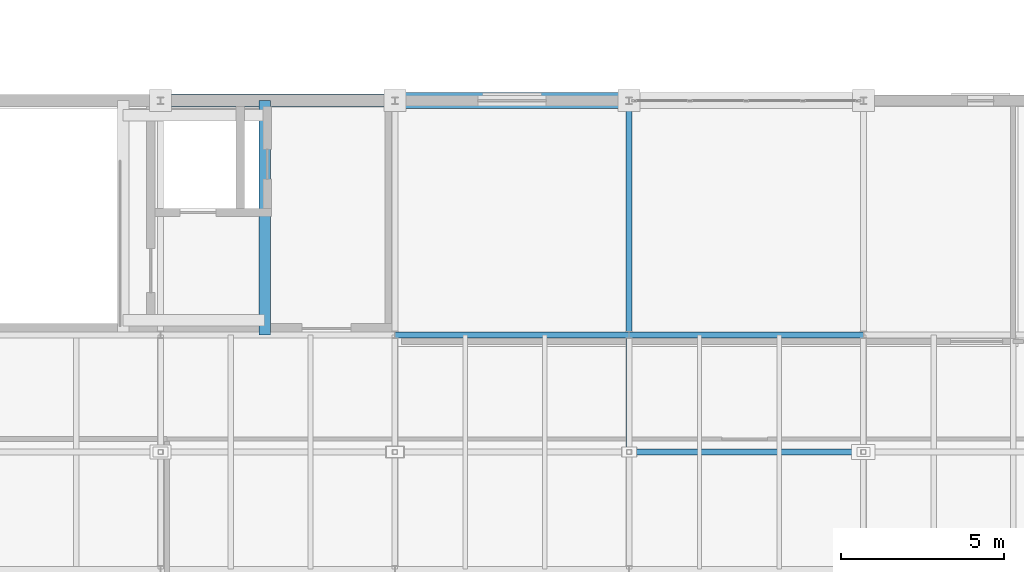
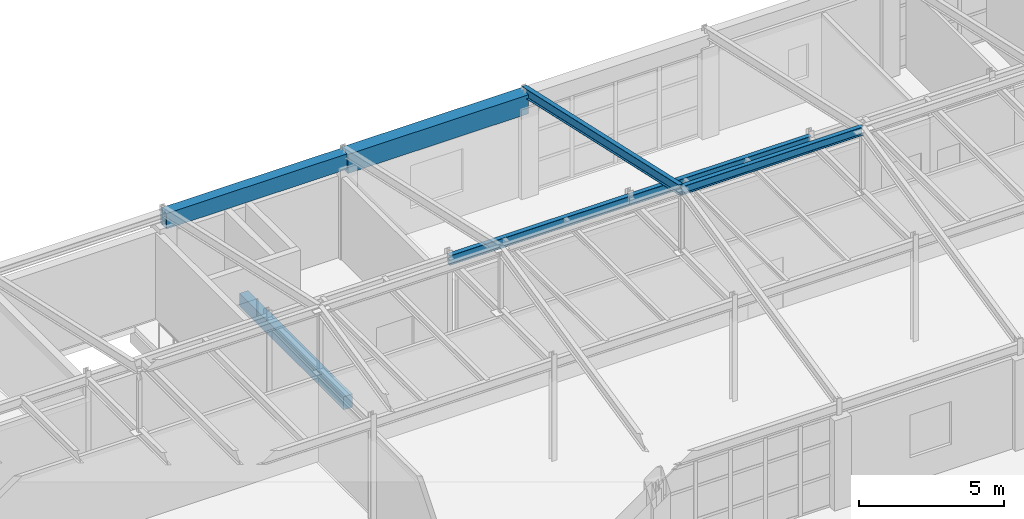
# One storey, part 65 of 101: 7 beams.
"""IFC4 building model written with IfcOpenShell, lengths in metres."""

from ifc_helpers import new_model, si_unit, direction, frame, origin, origin_2d, place, context, subcontext, project, spatial, rectangle, i_section, extrude, material, material_profile, profile_set, type_object, element, save


model = new_model("IFC4")

# Units and contexts
model_context = context("Model", 3, precision=1e-05, world=origin(), true_north=direction((0.0, 1.0)))
body_context = subcontext(model_context, "Body", "Model", "MODEL_VIEW")
ifc_project = project(units=[si_unit("LENGTHUNIT", "METRE"), si_unit("AREAUNIT", "SQUARE_METRE"), si_unit("VOLUMEUNIT", "CUBIC_METRE"), si_unit("PLANEANGLEUNIT", "RADIAN"), si_unit("MASSUNIT", "GRAM", prefix="KILO")], contexts=[model_context])

# Site, building, storey
site_placement = place(None, origin())
site = spatial("IfcSite", under=ifc_project, at=site_placement, CompositionType="ELEMENT")
building_placement = place(site_placement, origin())
building = spatial("IfcBuilding", under=site, at=building_placement, Name="Kemerveld Promenade Tramway Depot", CompositionType="ELEMENT")
storey_placement = place(building_placement, frame((0.0, 0.0, 9.89990234375)))
storey = spatial("IfcBuildingStorey", under=building, at=storey_placement, Name="L02", CompositionType="ELEMENT", Elevation=9.89990234375)

# Beams
ifc_material_1 = material(Name="Steel S355", Category="steel")
ifc_material_profile_1 = material_profile(ifc_material_1, i_section(OverallWidth=0.1787109375, OverallDepth=0.409423828125, WebThickness=0.0087890625, FlangeThickness=0.014404296875, FilletRadius=0.01025390625, at=origin_2d()), Name="406x178x67 UB")
ifc_profile_set_1 = profile_set([ifc_material_profile_1], Name="Steel S355")
beam_type_1 = type_object("IfcBeamType", Name="BM-G07", PredefinedType="BEAM", material=ifc_profile_set_1)
for number, where, z_axis, x_axis, name in (
    (1, (100.800048828125, 21.60009765625, 4.0703125), (1.0, 0.0, 0.0), (0.0, 1.0, 0.0), "BMX-L02-15-16-D"),
    (2, (108.0, 21.60009765625, 4.0703125), (1.0, 0.0, 0.0), (0.0, 1.0, 0.0), "BMX-L02-16-17-D"),
):
    element("IfcBeam", number, at=place(storey_placement, frame(where, z_axis=z_axis, x_axis=x_axis)), inside=storey, type_object=beam_type_1, Name=name, PredefinedType="BEAM", context=body_context, shape_type="SweptSolid", body=[
        extrude(i_section(OverallWidth=0.1787109375, OverallDepth=0.409423828125, WebThickness=0.0087890625, FlangeThickness=0.014404296875, FilletRadius=0.01025390625, at=origin_2d()), origin(), (0.0, 0.0, 1.0), 7.199951171875),
    ])
beam_1_placement = place(storey_placement, frame((108.0, 18.0, 6.67529296875), z_axis=(0.0, 0.976189137057, -0.216921111677), x_axis=(-1.0, 0.0, 0.0)))
element("IfcBeam", 3, at=beam_1_placement, inside=storey, type_object=beam_type_1, Name="RAF-V4-16-N", PredefinedType="BEAM", context=body_context, shape_type="SweptSolid", body=[
    extrude(i_section(OverallWidth=0.1787109375, OverallDepth=0.409423828125, WebThickness=0.0087890625, FlangeThickness=0.014404296875, FilletRadius=0.01025390625, at=origin_2d()), origin(), (0.0, 0.0, 1.0), 11.0634765625),
])
ifc_material_profile_2 = material_profile(ifc_material_1, i_section(OverallWidth=0.172119140625, OverallDepth=0.35791015625, WebThickness=0.008056640625, FlangeThickness=0.012939453125, FilletRadius=0.01025390625, at=origin_2d()), Name="356x171x57 UB")
ifc_profile_set_2 = profile_set([ifc_material_profile_2], Name="Steel S355")
beam_type_2 = type_object("IfcBeamType", Name="BM-G08", PredefinedType="BEAM", material=ifc_profile_set_2)
beam_2_placement = place(storey_placement, frame((108.0, 18.0, 6.67529296875), z_axis=(1.0, 0.0, 0.0), x_axis=(0.0, 1.0, 0.0)))
element("IfcBeam", 4, at=beam_2_placement, inside=storey, type_object=beam_type_2, Name="BM-RDG-V4-8", PredefinedType="BEAM", context=body_context, shape_type="SweptSolid", body=[
    extrude(i_section(OverallWidth=0.172119140625, OverallDepth=0.35791015625, WebThickness=0.008056640625, FlangeThickness=0.012939453125, FilletRadius=0.01025390625, at=origin_2d()), origin(), (0.0, 0.0, 1.0), 7.199951171875),
])
ifc_material_2 = material(Name="Concrete C40/50", Category="concrete")
ifc_material_profile_3 = material_profile(ifc_material_2, rectangle(XDim=0.39990234375, YDim=0.64990234375, at=origin_2d()), Name="RC-BM-400x650")
ifc_profile_set_3 = profile_set([ifc_material_profile_3], Name="Concrete C40/50")
beam_type_3 = type_object("IfcBeamType", Name="BM-RC1", PredefinedType="BEAM", material=ifc_profile_set_3)
beam_3_placement = place(storey_placement, frame((93.60009765625, 28.800048828125, 3.9501953125), z_axis=(1.0, 0.0, 0.0), x_axis=(0.0, 1.0, 0.0)))
element("IfcBeam", 5, at=beam_3_placement, inside=storey, type_object=beam_type_3, Name="BMX-L02-14-15-E", PredefinedType="BEAM", context=body_context, shape_type="SweptSolid", body=[
    extrude(rectangle(XDim=0.39990234375, YDim=0.64990234375, at=origin_2d()), origin(), (0.0, 0.0, 1.0), 7.199951171875),
])
ifc_material_profile_4 = material_profile(ifc_material_2, rectangle(XDim=0.5, YDim=0.800048828125, at=origin_2d()), Name="RC-BM-500x800")
ifc_profile_set_4 = profile_set([ifc_material_profile_4], Name="Concrete C40/50")
beam_type_4 = type_object("IfcBeamType", Name="BM-RC2", PredefinedType="BEAM", material=ifc_profile_set_4)
beam_4_placement = place(storey_placement, frame((100.800048828125, 28.800048828125, 3.875), z_axis=(1.0, 0.0, 0.0), x_axis=(0.0, 1.0, 0.0)))
element("IfcBeam", 6, at=beam_4_placement, inside=storey, type_object=beam_type_4, Name="BMX-L02-15-16-E", PredefinedType="BEAM", context=body_context, shape_type="SweptSolid", body=[
    extrude(rectangle(XDim=0.5, YDim=0.800048828125, at=origin_2d()), origin(), (0.0, 0.0, 1.0), 7.199951171875),
])
ifc_material_profile_5 = material_profile(ifc_material_2, rectangle(XDim=0.35009765625, YDim=0.550048828125, at=origin_2d()), Name="RC-BM-350x550")
ifc_profile_set_5 = profile_set([ifc_material_profile_5], Name="Concrete C40/50")
beam_type_5 = type_object("IfcBeamType", Name="BM-RC3", PredefinedType="BEAM", material=ifc_profile_set_5)
beam_5_placement = place(storey_placement, frame((96.800048828125, 21.60009765625, -0.52978515625), z_axis=(0.0, 1.0, 0.0), x_axis=(-1.0, 0.0, 0.0)))
element("IfcBeam", 7, at=beam_5_placement, inside=storey, type_object=beam_type_5, Name="BM-CORE-C4-L02-E", PredefinedType="BEAM", context=body_context, shape_type="SweptSolid", body=[
    extrude(rectangle(XDim=0.35009765625, YDim=0.550048828125, at=origin_2d()), origin(), (0.0, 0.0, 1.0), 7.199951171875),
])

save(model, "model.ifc")
